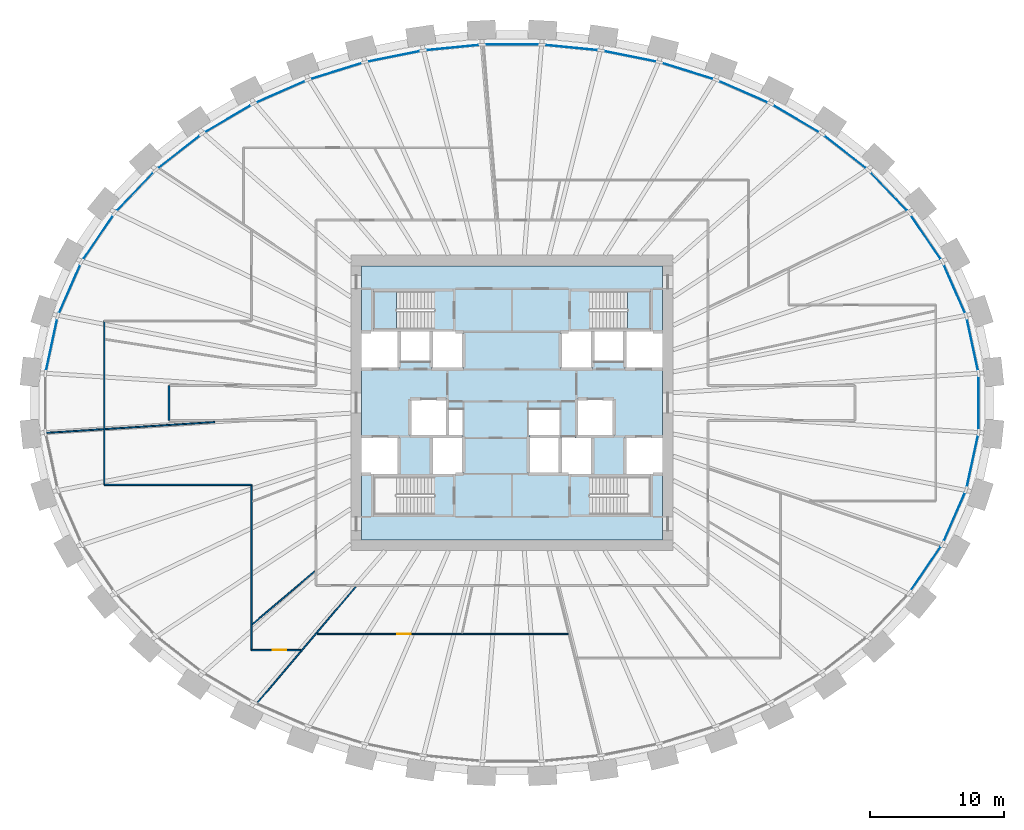
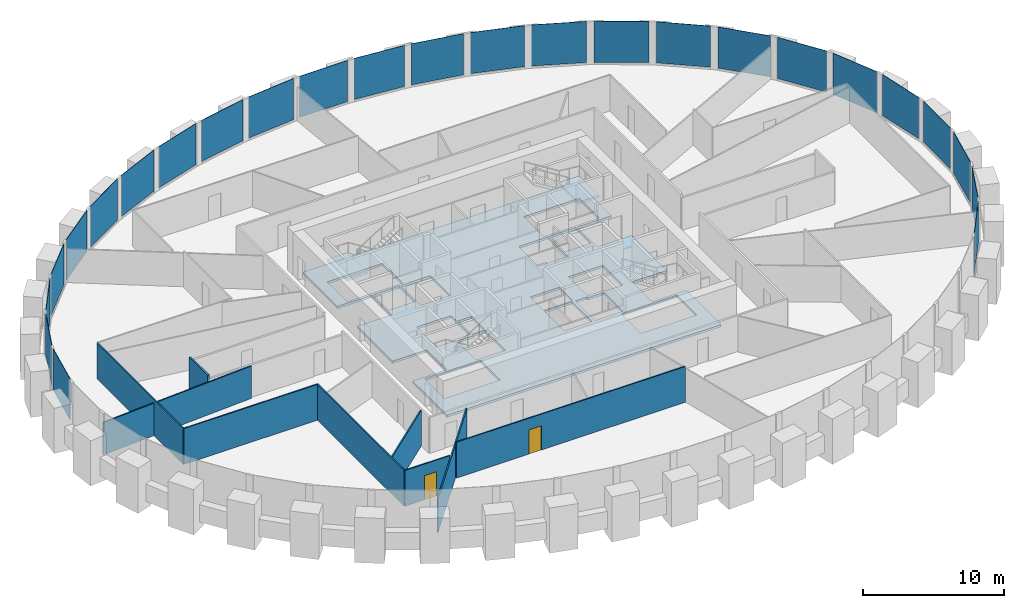
# One storey, part 5 of 11: 25 plates, 9 walls, 3 slabs, 2 doors, 2 openings, 3 elements without a shape of their own.
"""IFC4 building model written with IfcOpenShell, lengths in metres."""

from ifc_helpers import new_model, si_unit, direction, frame, frame_2d, origin, origin_2d, place, context, subcontext, project, spatial, polyline, rectangle, outline, extrude, source, transform, mapped, material, layer, layer_set, type_object, element, fill, aggregate, save


model = new_model("IFC4")

# Units and contexts
model_context = context("Model", 3, precision=1e-05, world=origin(), true_north=direction((0.0, 1.0)))
body_context = subcontext(model_context, "Body", "Model", "MODEL_VIEW")
ifc_project = project(units=[si_unit("LENGTHUNIT", "METRE"), si_unit("AREAUNIT", "SQUARE_METRE"), si_unit("VOLUMEUNIT", "CUBIC_METRE"), si_unit("PLANEANGLEUNIT", "RADIAN"), si_unit("MASSUNIT", "GRAM", prefix="KILO")], contexts=[model_context])

# Site, building, storey
site_placement = place(None, origin())
site = spatial("IfcSite", under=ifc_project, at=site_placement, CompositionType="ELEMENT")
building_placement = place(site_placement, origin())
building = spatial("IfcBuilding", under=site, at=building_placement, Name="Embergate Tower", CompositionType="ELEMENT")
storey_placement = place(building_placement, frame((0.0, 0.0, 199.5)))
storey = spatial("IfcBuildingStorey", under=building, at=storey_placement, Name="L45", CompositionType="ELEMENT", Elevation=199.5)

# Curtain wall, plates
ifc_material_1 = material(Name="Aluminium and glass", Category="aluminium")
curtain_wall_type = type_object("IfcCurtainWallType", Name="Recessed office glazing", PredefinedType="NOTDEFINED", material=ifc_material_1)
curtain_wall_placement = place(storey_placement, origin())
curtain_wall = element("IfcCurtainWall", 1, at=curtain_wall_placement, inside=storey, type_object=curtain_wall_type, Name="Recessed office glazing ring", ObjectType="RECESSED OFFICE GLAZING", PredefinedType="USERDEFINED")
ifc_material_2 = material(Name="Triple glazing, low-emissivity coating", Category="glass")
ifc_layer_1 = layer(ifc_material_2, 0.035888671875)
ifc_layer_set_1 = layer_set([ifc_layer_1], Name="Triple glazing, low-emissivity coating")
plate_type = type_object("IfcPlateType", Name="Office glazing unit", PredefinedType="CURTAIN_PANEL", material=ifc_layer_set_1)
shared_shape_1 = source(origin(), body_context, "Body", "SweptSolid", [
    extrude(rectangle(XDim=3.86181640625, YDim=0.035888671875, at=origin_2d()), origin(), (0.0, 0.0, 1.0), 3.550048828125),
])
plate_1_placement = place(storey_placement, frame((34.273681640625, 4.331298828125, 0.14990234375), z_axis=(0.0, 0.0, 1.0), x_axis=(-0.21039327239, 0.97761683237, 0.0)))
plate_1 = element("IfcPlate", 2, at=plate_1_placement, type_object=plate_type, Name="CW panel 1.1", PredefinedType="CURTAIN_PANEL", context=body_context, shape_type="MappedRepresentation", body=[
    mapped(shared_shape_1, transform((0.0, 0.0, 0.0))),
])
plate_2_placement = place(storey_placement, frame((-34.273681640625, 4.331298828125, 0.14990234375), z_axis=(0.0, 0.0, 1.0), x_axis=(-0.21039327239, -0.97761683237, 0.0)))
plate_2 = element("IfcPlate", 3, at=plate_2_placement, type_object=plate_type, Name="CW panel 21.1", PredefinedType="CURTAIN_PANEL", context=body_context, shape_type="MappedRepresentation", body=[
    mapped(shared_shape_1, transform((0.0, 0.0, 0.0))),
])
plate_3_placement = place(storey_placement, frame((34.273681640625, -4.331298828125, 0.14990234375), z_axis=(0.0, 0.0, 1.0), x_axis=(0.21039327239, 0.97761683237, 0.0)))
plate_3 = element("IfcPlate", 4, at=plate_3_placement, type_object=plate_type, Name="CW panel 43.1", PredefinedType="CURTAIN_PANEL", context=body_context, shape_type="MappedRepresentation", body=[
    mapped(shared_shape_1, transform((0.0, 0.0, 0.0))),
])
shared_shape_2 = source(origin(), body_context, "Body", "SweptSolid", [
    extrude(rectangle(XDim=3.86865234375, YDim=0.035888671875, at=origin_2d()), origin(), (0.0, 0.0, 1.0), 3.550048828125),
])
plate_4_placement = place(storey_placement, frame((32.931396484375, 8.48291015625, 0.14990234375), z_axis=(0.0, 0.0, 1.0), x_axis=(-0.401644109346, 0.915795833921, 0.0)))
plate_4 = element("IfcPlate", 5, at=plate_4_placement, type_object=plate_type, Name="CW panel 2.1", PredefinedType="CURTAIN_PANEL", context=body_context, shape_type="MappedRepresentation", body=[
    mapped(shared_shape_2, transform((0.0, 0.0, 0.0))),
])
plate_5_placement = place(storey_placement, frame((-32.931396484375, 8.48291015625, 0.14990234375), z_axis=(0.0, 0.0, 1.0), x_axis=(-0.401644109346, -0.915795833921, 0.0)))
plate_5 = element("IfcPlate", 6, at=plate_5_placement, type_object=plate_type, Name="CW panel 20.1", PredefinedType="CURTAIN_PANEL", context=body_context, shape_type="MappedRepresentation", body=[
    mapped(shared_shape_2, transform((0.0, 0.0, 0.0))),
])
plate_6_placement = place(storey_placement, frame((32.931396484375, -8.48291015625, 0.14990234375), z_axis=(0.0, 0.0, 1.0), x_axis=(0.401644109346, 0.915795833921, 0.0)))
plate_6 = element("IfcPlate", 7, at=plate_6_placement, type_object=plate_type, Name="CW panel 42.1", PredefinedType="CURTAIN_PANEL", context=body_context, shape_type="MappedRepresentation", body=[
    mapped(shared_shape_2, transform((0.0, 0.0, 0.0))),
])
shared_shape_3 = source(origin(), body_context, "Body", "SweptSolid", [
    extrude(rectangle(XDim=3.87744140625, YDim=0.035888671875, at=origin_2d()), origin(), (0.0, 0.0, 1.0), 3.550048828125),
])
plate_7_placement = place(storey_placement, frame((30.813720703125, 12.310546875, 0.14990234375), z_axis=(0.0, 0.0, 1.0), x_axis=(-0.562331639324, 0.826911801473, 0.0)))
plate_7 = element("IfcPlate", 8, at=plate_7_placement, type_object=plate_type, Name="CW panel 3.1", PredefinedType="CURTAIN_PANEL", context=body_context, shape_type="MappedRepresentation", body=[
    mapped(shared_shape_3, transform((0.0, 0.0, 0.0))),
])
plate_8_placement = place(storey_placement, frame((-30.813720703125, 12.310546875, 0.14990234375), z_axis=(0.0, 0.0, 1.0), x_axis=(-0.562331639324, -0.826911801473, 0.0)))
plate_8 = element("IfcPlate", 9, at=plate_8_placement, type_object=plate_type, Name="CW panel 19.1", PredefinedType="CURTAIN_PANEL", context=body_context, shape_type="MappedRepresentation", body=[
    mapped(shared_shape_3, transform((0.0, 0.0, 0.0))),
])
plate_9_placement = place(storey_placement, frame((30.813720703125, -12.310546875, 0.14990234375), z_axis=(0.0, 0.0, 1.0), x_axis=(0.562331639324, 0.826911801473, 0.0)))
plate_9 = element("IfcPlate", 10, at=plate_9_placement, type_object=plate_type, Name="CW panel 41.1", PredefinedType="CURTAIN_PANEL", context=body_context, shape_type="MappedRepresentation", body=[
    mapped(shared_shape_3, transform((0.0, 0.0, 0.0))),
])
shared_shape_4 = source(origin(), body_context, "Body", "SweptSolid", [
    extrude(rectangle(XDim=3.885986328125, YDim=0.035888671875, at=origin_2d()), origin(), (0.0, 0.0, 1.0), 3.550048828125),
])
plate_10_placement = place(storey_placement, frame((28.056884765625, 15.722900390625, 0.14990234375), z_axis=(0.0, 0.0, 1.0), x_axis=(-0.690123679893, 0.723691444229, 0.0)))
plate_10 = element("IfcPlate", 11, at=plate_10_placement, type_object=plate_type, Name="CW panel 4.1", PredefinedType="CURTAIN_PANEL", context=body_context, shape_type="MappedRepresentation", body=[
    mapped(shared_shape_4, transform((0.0, 0.0, 0.0))),
])
plate_11_placement = place(storey_placement, frame((-28.056884765625, 15.722900390625, 0.14990234375), z_axis=(0.0, 0.0, 1.0), x_axis=(-0.690123679893, -0.723691444229, 0.0)))
plate_11 = element("IfcPlate", 12, at=plate_11_placement, type_object=plate_type, Name="CW panel 18.1", PredefinedType="CURTAIN_PANEL", context=body_context, shape_type="MappedRepresentation", body=[
    mapped(shared_shape_4, transform((0.0, 0.0, 0.0))),
])
shared_shape_5 = source(origin(), body_context, "Body", "SweptSolid", [
    extrude(rectangle(XDim=3.893310546875, YDim=0.035888671875, at=origin_2d()), origin(), (0.0, 0.0, 1.0), 3.550048828125),
])
plate_12_placement = place(storey_placement, frame((24.797119140625, 18.675048828125, 0.14990234375), z_axis=(0.0, 0.0, 1.0), x_axis=(-0.788311528453, 0.615276307123, 0.0)))
plate_12 = element("IfcPlate", 13, at=plate_12_placement, type_object=plate_type, Name="CW panel 5.1", PredefinedType="CURTAIN_PANEL", context=body_context, shape_type="MappedRepresentation", body=[
    mapped(shared_shape_5, transform((0.0, 0.0, 0.0))),
])
plate_13_placement = place(storey_placement, frame((-24.797119140625, 18.675048828125, 0.14990234375), z_axis=(0.0, 0.0, 1.0), x_axis=(-0.788311528453, -0.615276307123, 0.0)))
plate_13 = element("IfcPlate", 14, at=plate_13_placement, type_object=plate_type, Name="CW panel 17.1", PredefinedType="CURTAIN_PANEL", context=body_context, shape_type="MappedRepresentation", body=[
    mapped(shared_shape_5, transform((0.0, 0.0, 0.0))),
])
shared_shape_6 = source(origin(), body_context, "Body", "SweptSolid", [
    extrude(rectangle(XDim=3.8994140625, YDim=0.035888671875, at=origin_2d()), origin(), (0.0, 0.0, 1.0), 3.550048828125),
])
plate_14_placement = place(storey_placement, frame((21.152587890625, 21.152587890625, 0.14990234375), z_axis=(0.0, 0.0, 1.0), x_axis=(-0.862046091215, 0.506829889234, 0.0)))
plate_14 = element("IfcPlate", 15, at=plate_14_placement, type_object=plate_type, Name="CW panel 6.1", PredefinedType="CURTAIN_PANEL", context=body_context, shape_type="MappedRepresentation", body=[
    mapped(shared_shape_6, transform((0.0, 0.0, 0.0))),
])
plate_15_placement = place(storey_placement, frame((-21.152587890625, 21.152587890625, 0.14990234375), z_axis=(0.0, 0.0, 1.0), x_axis=(-0.862046091215, -0.506829889234, 0.0)))
plate_15 = element("IfcPlate", 16, at=plate_15_placement, type_object=plate_type, Name="CW panel 16.1", PredefinedType="CURTAIN_PANEL", context=body_context, shape_type="MappedRepresentation", body=[
    mapped(shared_shape_6, transform((0.0, 0.0, 0.0))),
])
shared_shape_7 = source(origin(), body_context, "Body", "SweptSolid", [
    extrude(rectangle(XDim=3.90380859375, YDim=0.035888671875, at=origin_2d()), origin(), (0.0, 0.0, 1.0), 3.550048828125),
])
plate_16_placement = place(storey_placement, frame((17.22119140625, 23.158935546875, 0.14990234375), z_axis=(0.0, 0.0, 1.0), x_axis=(-0.91623131695, 0.400649689679, 0.0)))
plate_16 = element("IfcPlate", 17, at=plate_16_placement, type_object=plate_type, Name="CW panel 7.1", PredefinedType="CURTAIN_PANEL", context=body_context, shape_type="MappedRepresentation", body=[
    mapped(shared_shape_7, transform((0.0, 0.0, 0.0))),
])
plate_17_placement = place(storey_placement, frame((-17.22119140625, 23.158935546875, 0.14990234375), z_axis=(0.0, 0.0, 1.0), x_axis=(-0.91623131695, -0.400649689679, 0.0)))
plate_17 = element("IfcPlate", 18, at=plate_17_placement, type_object=plate_type, Name="CW panel 15.1", PredefinedType="CURTAIN_PANEL", context=body_context, shape_type="MappedRepresentation", body=[
    mapped(shared_shape_7, transform((0.0, 0.0, 0.0))),
])
shared_shape_8 = source(origin(), body_context, "Body", "SweptSolid", [
    extrude(rectangle(XDim=3.906982421875, YDim=0.035888671875, at=origin_2d()), origin(), (0.0, 0.0, 1.0), 3.550048828125),
])
plate_18_placement = place(storey_placement, frame((13.0810546875, 24.703369140625, 0.14990234375), z_axis=(0.0, 0.0, 1.0), x_axis=(-0.954769622373, 0.297346545624, 0.0)))
plate_18 = element("IfcPlate", 19, at=plate_18_placement, type_object=plate_type, Name="CW panel 8.1", PredefinedType="CURTAIN_PANEL", context=body_context, shape_type="MappedRepresentation", body=[
    mapped(shared_shape_8, transform((0.0, 0.0, 0.0))),
])
plate_19_placement = place(storey_placement, frame((-13.0810546875, 24.703369140625, 0.14990234375), z_axis=(0.0, 0.0, 1.0), x_axis=(-0.954769622373, -0.297346545624, 0.0)))
plate_19 = element("IfcPlate", 20, at=plate_19_placement, type_object=plate_type, Name="CW panel 14.1", PredefinedType="CURTAIN_PANEL", context=body_context, shape_type="MappedRepresentation", body=[
    mapped(shared_shape_8, transform((0.0, 0.0, 0.0))),
])
shared_shape_9 = source(origin(), body_context, "Body", "SweptSolid", [
    extrude(rectangle(XDim=3.9091796875, YDim=0.035888671875, at=origin_2d()), origin(), (0.0, 0.0, 1.0), 3.550048828125),
])
plate_20_placement = place(storey_placement, frame((8.796142578125, 25.797119140625, 0.14990234375), z_axis=(0.0, 0.0, 1.0), x_axis=(-0.980474534584, 0.196646095898, 0.0)))
plate_20 = element("IfcPlate", 21, at=plate_20_placement, type_object=plate_type, Name="CW panel 9.1", PredefinedType="CURTAIN_PANEL", context=body_context, shape_type="MappedRepresentation", body=[
    mapped(shared_shape_9, transform((0.0, 0.0, 0.0))),
])
plate_21_placement = place(storey_placement, frame((-8.796142578125, 25.797119140625, 0.14990234375), z_axis=(0.0, 0.0, 1.0), x_axis=(-0.980474534584, -0.196646095898, 0.0)))
plate_21 = element("IfcPlate", 22, at=plate_21_placement, type_object=plate_type, Name="CW panel 13.1", PredefinedType="CURTAIN_PANEL", context=body_context, shape_type="MappedRepresentation", body=[
    mapped(shared_shape_9, transform((0.0, 0.0, 0.0))),
])
shared_shape_10 = source(origin(), body_context, "Body", "SweptSolid", [
    extrude(rectangle(XDim=3.91064453125, YDim=0.035888671875, at=origin_2d()), origin(), (0.0, 0.0, 1.0), 3.550048828125),
])
plate_22_placement = place(storey_placement, frame((4.420166015625, 26.44921875, 0.14990234375), z_axis=(0.0, 0.0, 1.0), x_axis=(-0.995202843292, 0.097833024602, 0.0)))
plate_22 = element("IfcPlate", 23, at=plate_22_placement, type_object=plate_type, Name="CW panel 10.1", PredefinedType="CURTAIN_PANEL", context=body_context, shape_type="MappedRepresentation", body=[
    mapped(shared_shape_10, transform((0.0, 0.0, 0.0))),
])
plate_23_placement = place(storey_placement, frame((-4.420166015625, 26.44921875, 0.14990234375), z_axis=(0.0, 0.0, 1.0), x_axis=(-0.995202843292, -0.097833024602, 0.0)))
plate_23 = element("IfcPlate", 24, at=plate_23_placement, type_object=plate_type, Name="CW panel 12.1", PredefinedType="CURTAIN_PANEL", context=body_context, shape_type="MappedRepresentation", body=[
    mapped(shared_shape_10, transform((0.0, 0.0, 0.0))),
])
shared_shape_11 = source(origin(), body_context, "Body", "SweptSolid", [
    extrude(rectangle(XDim=3.910888671875, YDim=0.035888671875, at=origin_2d()), origin(), (0.0, 0.0, 1.0), 3.550048828125),
])
plate_24_placement = place(storey_placement, frame((0.0, 26.666015625, 0.14990234375), z_axis=(0.0, 0.0, 1.0), x_axis=(-1.0, 0.0, 0.0)))
plate_24 = element("IfcPlate", 25, at=plate_24_placement, type_object=plate_type, Name="CW panel 11.1", PredefinedType="CURTAIN_PANEL", context=body_context, shape_type="MappedRepresentation", body=[
    mapped(shared_shape_11, transform((0.0, 0.0, 0.0))),
])
shared_shape_12 = source(origin(), body_context, "Body", "SweptSolid", [
    extrude(rectangle(XDim=3.859130859375, YDim=0.035888671875, at=origin_2d()), origin(), (0.0, 0.0, 1.0), 3.550048828125),
])
plate_25_placement = place(storey_placement, frame((34.734619140625, 0.0, 0.14990234375), z_axis=(0.0, 0.0, 1.0), x_axis=(0.0, 1.0, 0.0)))
plate_25 = element("IfcPlate", 26, at=plate_25_placement, type_object=plate_type, Name="CW panel 44.1", PredefinedType="CURTAIN_PANEL", context=body_context, shape_type="MappedRepresentation", body=[
    mapped(shared_shape_12, transform((0.0, 0.0, 0.0))),
])
aggregate(curtain_wall, [plate_1, plate_4, plate_7, plate_10, plate_12, plate_14, plate_16, plate_18, plate_20, plate_22, plate_24, plate_23, plate_21, plate_19, plate_17, plate_15, plate_13, plate_11, plate_8, plate_5, plate_2, plate_9, plate_6, plate_3, plate_25])

# Stair, slab
ifc_material_3 = material(Name="Exit stair")
stair_type = type_object("IfcStairType", Name="Exit stair", PredefinedType="HALF_TURN_STAIR", material=ifc_material_3)
stair_1_placement = place(storey_placement, origin())
stair_1 = element("IfcStair", 27, at=stair_1_placement, inside=storey, type_object=stair_type, Name="L45 Exit stair 1", PredefinedType="HALF_TURN_STAIR")
ifc_material_4 = material(Name="Concrete C40", Category="concrete")
ifc_layer_2 = layer(ifc_material_4, 0.199951171875)
ifc_layer_set_2 = layer_set([ifc_layer_2], Name="Concrete C40")
slab_type_1 = type_object("IfcSlabType", Name="Stair landing reinforced concrete", PredefinedType="LANDING", material=ifc_layer_set_2)
shared_shape_13 = source(origin(), body_context, "Body", "SweptSolid", [
    extrude(outline(polyline([(0.0, 0.0), (1.68994140625, 0.0), (1.68994140625, 2.800048828125), (0.0, 2.800048828125), (0.0, 0.0)])), origin(), (0.0, 0.0, 1.0), 0.199951171875),
])
slab_1_placement = place(storey_placement, frame((-10.300048828125, 5.5, 1.75)))
slab_1 = element("IfcSlab", 28, at=slab_1_placement, type_object=slab_type_1, Name="ST1 landing 1", PredefinedType="LANDING", context=body_context, shape_type="MappedRepresentation", body=[
    mapped(shared_shape_13, transform((0.0, 0.0, 0.0))),
])
aggregate(stair_1, [slab_1])

stair_2_placement = place(storey_placement, origin())
stair_2 = element("IfcStair", 29, at=stair_2_placement, inside=storey, type_object=stair_type, Name="L45 Exit stair 2", PredefinedType="HALF_TURN_STAIR")
slab_2_placement = place(storey_placement, frame((8.610107421875, 5.5, 1.75)))
slab_2 = element("IfcSlab", 30, at=slab_2_placement, type_object=slab_type_1, Name="ST2 landing 1", PredefinedType="LANDING", context=body_context, shape_type="MappedRepresentation", body=[
    mapped(shared_shape_13, transform((0.0, 0.0, 0.0))),
])
aggregate(stair_2, [slab_2])

# Slab
ifc_layer_3 = layer(ifc_material_4, 0.199951171875)
ifc_layer_set_3 = layer_set([ifc_layer_3], Name="Concrete C40")
slab_type_2 = type_object("IfcSlabType", Name="Core floor slab 200 reinforced concrete", PredefinedType="FLOOR", material=ifc_layer_set_3)
shared_shape_14 = source(origin(), body_context, "Body", "SweptSolid", [
    extrude(outline(polyline([(0.0, 0.0), (22.39990234375, 0.0), (22.39990234375, 4.89990234375), (19.599853515625, 4.89990234375), (19.599853515625, 7.699951171875), (22.39990234375, 7.699951171875), (22.39990234375, 12.699951171875), (19.599853515625, 12.699951171875), (19.599853515625, 15.5), (22.39990234375, 15.5), (22.39990234375, 20.39990234375), (0.0, 20.39990234375), (0.0, 15.5), (2.800048828125, 15.5), (2.800048828125, 12.699951171875), (0.0, 12.699951171875), (0.0, 7.699951171875), (2.800048828125, 7.699951171875), (2.800048828125, 4.89990234375), (0.0, 4.89990234375), (0.0, 0.0)]), holes=[polyline([(0.89990234375, 1.89990234375), (0.89990234375, 4.699951171875), (5.43994140625, 4.699951171875), (5.43994140625, 1.89990234375), (0.89990234375, 1.89990234375)]), polyline([(16.9599609375, 1.89990234375), (16.9599609375, 4.699951171875), (21.5, 4.699951171875), (21.5, 1.89990234375), (16.9599609375, 1.89990234375)]), polyline([(5.199951171875, 4.89990234375), (5.199951171875, 7.574951171875), (6.52490234375, 7.574951171875), (6.52490234375, 7.699951171875), (7.599853515625, 7.699951171875), (7.599853515625, 4.89990234375), (5.199951171875, 4.89990234375)]), polyline([(12.39990234375, 4.89990234375), (12.39990234375, 7.699951171875), (14.675048828125, 7.699951171875), (14.675048828125, 4.89990234375), (12.39990234375, 4.89990234375)]), polyline([(14.925048828125, 4.89990234375), (14.925048828125, 7.699951171875), (15.875, 7.699951171875), (15.875, 7.574951171875), (17.199951171875, 7.574951171875), (17.199951171875, 4.89990234375), (14.925048828125, 4.89990234375)]), polyline([(3.599853515625, 7.699951171875), (3.599853515625, 10.5), (6.39990234375, 10.5), (6.39990234375, 7.824951171875), (5.074951171875, 7.824951171875), (5.074951171875, 7.699951171875), (3.599853515625, 7.699951171875)]), polyline([(17.324951171875, 7.699951171875), (17.324951171875, 7.824951171875), (16.0, 7.824951171875), (16.0, 10.5), (18.800048828125, 10.5), (18.800048828125, 7.699951171875), (17.324951171875, 7.699951171875)]), polyline([(6.52490234375, 7.824951171875), (6.52490234375, 9.699951171875), (7.599853515625, 9.699951171875), (7.599853515625, 7.824951171875), (6.52490234375, 7.824951171875)]), polyline([(12.39990234375, 7.824951171875), (12.39990234375, 9.699951171875), (14.800048828125, 9.699951171875), (14.800048828125, 7.824951171875), (14.675048828125, 7.824951171875), (12.39990234375, 7.824951171875)]), polyline([(5.199951171875, 12.699951171875), (5.199951171875, 15.5), (7.599853515625, 15.5), (7.599853515625, 12.699951171875), (5.199951171875, 12.699951171875)]), polyline([(14.800048828125, 12.699951171875), (14.800048828125, 15.5), (17.199951171875, 15.5), (17.199951171875, 12.699951171875), (14.800048828125, 12.699951171875)]), polyline([(2.925048828125, 13.300048828125), (2.925048828125, 15.5), (5.074951171875, 15.5), (5.074951171875, 13.300048828125), (2.925048828125, 13.300048828125)]), polyline([(17.324951171875, 13.300048828125), (17.324951171875, 15.5), (19.474853515625, 15.5), (19.474853515625, 13.300048828125), (17.324951171875, 13.300048828125)]), polyline([(0.89990234375, 15.699951171875), (0.89990234375, 18.5), (5.43994140625, 18.5), (5.43994140625, 15.699951171875), (0.89990234375, 15.699951171875)]), polyline([(16.9599609375, 15.699951171875), (16.9599609375, 18.5), (21.5, 18.5), (21.5, 15.699951171875), (16.9599609375, 15.699951171875)])]), origin(), (0.0, 0.0, 1.0), 0.199951171875),
])
slab_3_placement = place(storey_placement, frame((-11.199951171875, -10.199951171875, -0.199951171875)))
element("IfcSlab", 31, at=slab_3_placement, inside=storey, type_object=slab_type_2, Name="Core floor slab", PredefinedType="FLOOR", context=body_context, shape_type="MappedRepresentation", body=[
    mapped(shared_shape_14, transform((0.0, 0.0, 0.0))),
])

# Walls
ifc_material_5 = material(Name="Partition dry-lined 100")
ifc_layer_4 = layer(ifc_material_5, 0.10009765625)
ifc_layer_set_4 = layer_set([ifc_layer_4], Name="Partition dry-lined 100")
wall_type_1 = type_object("IfcWallType", Name="Partition dry-lined 100", PredefinedType="PARTITIONING", material=ifc_layer_set_4)
shared_shape_15 = source(origin(), body_context, "Body", "SweptSolid", [
    extrude(rectangle(XDim=10.9501953125, YDim=0.10009765625, at=frame_2d((5.47509765625, 0.0))), origin(), (0.0, 0.0, 1.0), 3.10009765625),
])
wall_1_placement = place(storey_placement, frame((-19.39990234375, -6.10009765625, 0.0), z_axis=(0.0, 0.0, 1.0), x_axis=(-1.0, 0.0, 0.0)))
element("IfcWall", 32, at=wall_1_placement, inside=storey, type_object=wall_type_1, Name="IP-1 wall", PredefinedType="PARTITIONING", context=body_context, shape_type="MappedRepresentation", body=[
    mapped(shared_shape_15, transform((0.0, 0.0, 0.0))),
])
ifc_material_6 = material(Name="Corridor wall dry-lined 150")
ifc_layer_5 = layer(ifc_material_6, 0.14990234375)
ifc_layer_set_5 = layer_set([ifc_layer_5], Name="Corridor wall dry-lined 150")
wall_type_2 = type_object("IfcWallType", Name="Corridor wall dry-lined 150", PredefinedType="PARTITIONING", material=ifc_layer_set_5)
shared_shape_16 = source(origin(), body_context, "Body", "SweptSolid", [
    extrude(rectangle(XDim=2.60009765625, YDim=0.14990234375, at=frame_2d((1.300048828125, 0.0))), origin(), (0.0, 0.0, 1.0), 3.10009765625),
])
wall_2_placement = place(storey_placement, frame((-25.550048828125, 1.300048828125, 0.0), z_axis=(0.0, 0.0, 1.0), x_axis=(0.0, -1.0, 0.0)))
element("IfcWall", 33, at=wall_2_placement, inside=storey, type_object=wall_type_2, Name="IP-2 wall", PredefinedType="PARTITIONING", context=body_context, shape_type="MappedRepresentation", body=[
    mapped(shared_shape_16, transform((0.0, 0.0, 0.0))),
])
shared_shape_17 = source(origin(), body_context, "Body", "SweptSolid", [
    extrude(rectangle(XDim=12.2998046875, YDim=0.10009765625, at=frame_2d((6.14990234375, 0.0))), origin(), (0.0, 0.0, 1.0), 3.10009765625),
])
wall_3_placement = place(storey_placement, frame((-19.39990234375, -18.39990234375, 0.0), z_axis=(0.0, 0.0, 1.0), x_axis=(0.0, 1.0, 0.0)))
element("IfcWall", 34, at=wall_3_placement, inside=storey, type_object=wall_type_1, Name="IP-1 wall", PredefinedType="PARTITIONING", context=body_context, shape_type="MappedRepresentation", body=[
    mapped(shared_shape_17, transform((0.0, 0.0, 0.0))),
])
shared_shape_18 = source(origin(), body_context, "Body", "SweptSolid", [
    extrude(rectangle(XDim=12.2001953125, YDim=0.10009765625, at=frame_2d((6.10009765625, 0.0))), origin(), (0.0, 0.0, 1.0), 3.10009765625),
])
wall_4_placement = place(storey_placement, frame((-30.35009765625, -6.10009765625, 0.0), z_axis=(0.0, 0.0, 1.0), x_axis=(0.0, 1.0, 0.0)))
element("IfcWall", 35, at=wall_4_placement, inside=storey, type_object=wall_type_1, Name="IP-1 wall", PredefinedType="PARTITIONING", context=body_context, shape_type="MappedRepresentation", body=[
    mapped(shared_shape_18, transform((0.0, 0.0, 0.0))),
])
shared_shape_19 = source(origin(), body_context, "Body", "SweptSolid", [
    extrude(rectangle(XDim=12.612060546875, YDim=0.10009765625, at=frame_2d((6.30615234375, 0.0))), origin(), (0.0, 0.0, 1.0), 2.800048828125),
])
wall_5_placement = place(storey_placement, frame((-22.132080078125, -1.425048828125, 0.0), z_axis=(0.0, 0.0, 1.0), x_axis=(-0.997935166731, -0.064229300186, 0.0)))
element("IfcWall", 36, at=wall_5_placement, inside=storey, type_object=wall_type_1, Name="IP-1 wall", PredefinedType="PARTITIONING", context=body_context, shape_type="MappedRepresentation", body=[
    mapped(shared_shape_19, transform((0.0, 0.0, 0.0))),
])
shared_shape_20 = source(origin(), body_context, "Body", "SweptSolid", [
    extrude(rectangle(XDim=6.06005859375, YDim=0.10009765625, at=frame_2d((3.030029296875, 0.0))), origin(), (0.0, 0.0, 1.0), 3.10009765625),
])
wall_6_placement = place(storey_placement, frame((-14.70703125, -12.544921875, 0.0), z_axis=(0.0, 0.0, 1.0), x_axis=(-0.760903567503, -0.648864978991, 0.0)))
element("IfcWall", 37, at=wall_6_placement, inside=storey, type_object=wall_type_1, Name="IP-1 wall", PredefinedType="PARTITIONING", context=body_context, shape_type="MappedRepresentation", body=[
    mapped(shared_shape_20, transform((0.0, 0.0, 0.0))),
])

# Wall, opening, door
shared_shape_21 = source(origin(), body_context, "Body", "SweptSolid", [
    extrude(rectangle(XDim=3.663818359375, YDim=0.10009765625, at=frame_2d((1.83203125, 0.0))), origin(), (0.0, 0.0, 1.0), 3.10009765625),
])
wall_7_placement = place(storey_placement, frame((-19.39990234375, -18.39990234375, 0.0), z_axis=(0.0, 0.0, 1.0), x_axis=(1.0, 0.0, 0.0)))
wall_7 = element("IfcWall", 38, at=wall_7_placement, inside=storey, type_object=wall_type_1, Name="IP-1 wall", PredefinedType="PARTITIONING", context=body_context, shape_type="MappedRepresentation", body=[
    mapped(shared_shape_21, transform((0.0, 0.0, 0.0))),
])
shared_shape_22 = source(origin(), body_context, "Body", "SweptSolid", [
    extrude(rectangle(XDim=1.0, YDim=2.10009765625, at=frame_2d((0.5, 1.050048828125))), frame((0.0, 0.06005859375, 0.0), z_axis=(0.0, -1.0, 0.0), x_axis=(1.0, 0.0, 0.0)), (0.0, 0.0, 1.0), 0.1201171875),
])
opening_1_placement = place(wall_7_placement, frame((1.58203125, 0.0, 0.0)))
opening_1 = element("IfcOpeningElement", 39, at=opening_1_placement, cuts=wall_7, Name="Opening ID-2", PredefinedType="OPENING", context=body_context, shape_type="MappedRepresentation", body=[
    mapped(shared_shape_22, transform((0.0, 0.0, 0.0))),
])
ifc_material_7 = material(Name="Interior door 1000")
door_type = type_object("IfcDoorType", Name="Interior door 1000", OperationType="SINGLE_SWING_LEFT", PredefinedType="DOOR", material=ifc_material_7)
shared_shape_23 = source(origin(), body_context, "Body", "SweptSolid", [
    extrude(rectangle(XDim=1.0, YDim=2.10009765625, at=frame_2d((0.5, 1.050048828125))), frame((0.0, 0.02490234375, 0.0), z_axis=(0.0, -1.0, 0.0), x_axis=(1.0, 0.0, 0.0)), (0.0, 0.0, 1.0), 0.050048828125),
])
door_1_placement = place(opening_1_placement, origin())
door_1 = element("IfcDoor", 40, at=door_1_placement, inside=storey, type_object=door_type, Name="ID-2 door", OperationType="SINGLE_SWING_RIGHT", OverallHeight=2.10009765625, OverallWidth=1.0, PredefinedType="DOOR", context=body_context, shape_type="MappedRepresentation", body=[
    mapped(shared_shape_23, transform((0.0, 0.0, 0.0))),
])
fill(opening_1, door_1)

# Wall
shared_shape_24 = source(origin(), body_context, "Body", "SweptSolid", [
    extrude(rectangle(XDim=11.376708984375, YDim=0.10009765625, at=frame_2d((5.6884765625, 0.0))), origin(), (0.0, 0.0, 1.0), 2.89990234375),
])
wall_8_placement = place(storey_placement, frame((-19.007080078125, -22.3779296875, 0.0), z_axis=(0.0, 0.0, 1.0), x_axis=(0.64737927506, 0.762168009183, 0.0)))
element("IfcWall", 41, at=wall_8_placement, inside=storey, type_object=wall_type_1, Name="IP-1 wall", PredefinedType="PARTITIONING", context=body_context, shape_type="MappedRepresentation", body=[
    mapped(shared_shape_24, transform((0.0, 0.0, 0.0))),
])

# Wall, opening, door
shared_shape_25 = source(origin(), body_context, "Body", "SweptSolid", [
    extrude(rectangle(XDim=18.7099609375, YDim=0.10009765625, at=frame_2d((9.35498046875, 0.0))), origin(), (0.0, 0.0, 1.0), 3.10009765625),
])
wall_9_placement = place(storey_placement, frame((-14.5009765625, -17.199951171875, 0.0), z_axis=(0.0, 0.0, 1.0), x_axis=(1.0, 0.0, 0.0)))
wall_9 = element("IfcWall", 42, at=wall_9_placement, inside=storey, type_object=wall_type_1, Name="IP-1 wall", PredefinedType="PARTITIONING", context=body_context, shape_type="MappedRepresentation", body=[
    mapped(shared_shape_25, transform((0.0, 0.0, 0.0))),
])
opening_2_placement = place(wall_9_placement, frame((5.945556640625, 0.0, 0.0)))
opening_2 = element("IfcOpeningElement", 43, at=opening_2_placement, cuts=wall_9, Name="Opening ID-2", PredefinedType="OPENING", context=body_context, shape_type="MappedRepresentation", body=[
    mapped(shared_shape_22, transform((0.0, 0.0, 0.0))),
])
door_2_placement = place(opening_2_placement, origin())
door_2 = element("IfcDoor", 44, at=door_2_placement, inside=storey, type_object=door_type, Name="ID-2 door", OperationType="SINGLE_SWING_LEFT", OverallHeight=2.10009765625, OverallWidth=1.0, PredefinedType="DOOR", context=body_context, shape_type="MappedRepresentation", body=[
    mapped(shared_shape_23, transform((0.0, 0.0, 0.0))),
])
fill(opening_2, door_2)

save(model, "model.ifc")
